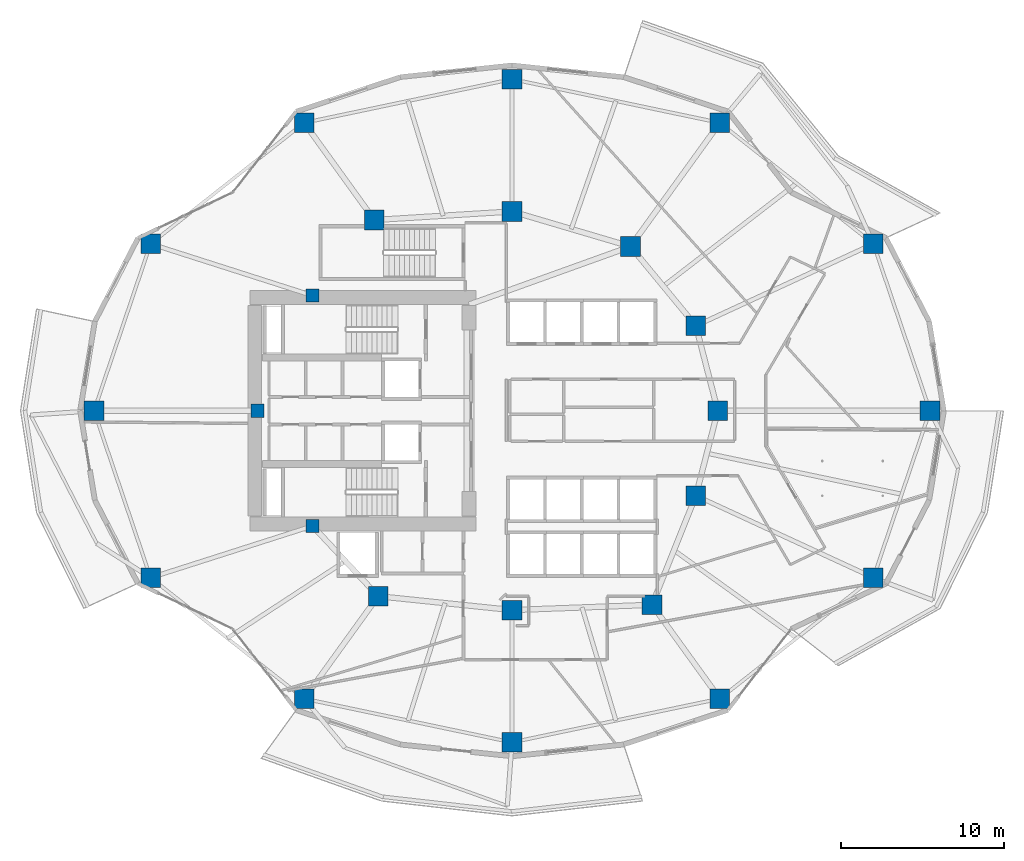
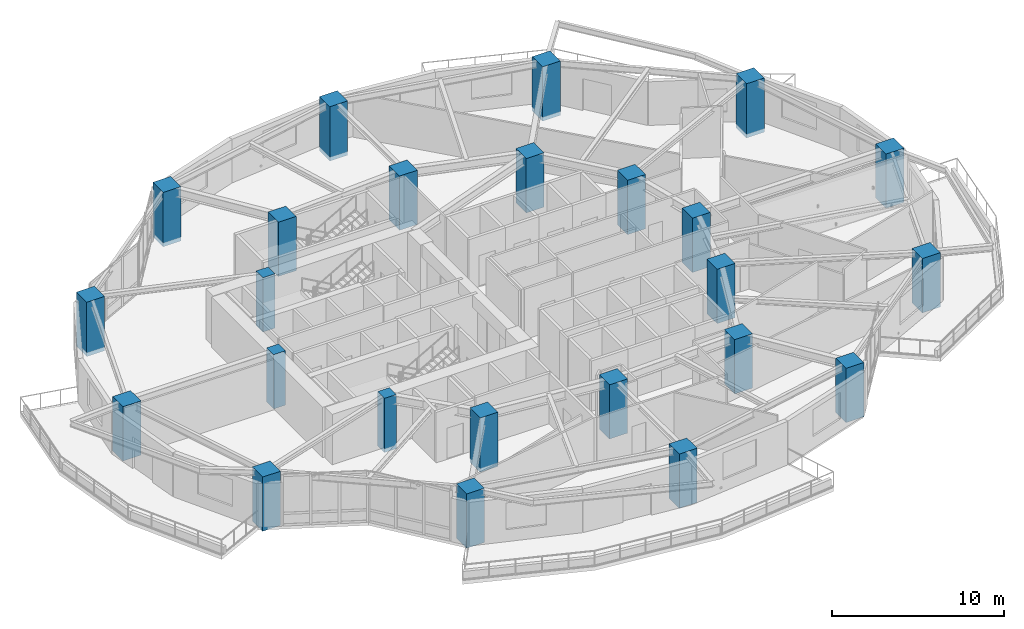
# One storey, part 1 of 18: 24 columns.
"""IFC4 building model written with IfcOpenShell, lengths in metres."""

import ifcopenshell
import ifcopenshell.guid

model = None  # the IFC model being written
_history = None  # IfcOwnerHistory: only IFC2X3 demands one
_inside = {}  # id of a spatial element -> (the spatial element, [elements in it])
_under = {}  # id of a project, library or spatial element -> (it, [spatial elements below it])
_declared = {}  # id of a project -> (the project, [libraries it declares])
_typed = {}  # id of a type object -> (the type object, [elements of that type])
_made_of = {}  # id of a material, layer set ... -> (it, [elements and type objects made of it])


def new_model(schema):
    """Start an empty IFC model of exactly this schema.

    Asked for "IFC4X3", IfcOpenShell would pick the latest addendum, in which some entities
    have other attributes; the version numbers below select the first issue.
    IFC2X3 requires an IfcOwnerHistory on every rooted entity: one is made here for all.
    """
    global model, _history
    if schema == "IFC4X3":
        model = ifcopenshell.file(schema_version=(4, 3, 0, 0))
    else:
        model = ifcopenshell.file(schema=schema)
    _inside.clear()
    _under.clear()
    _declared.clear()
    _typed.clear()
    _made_of.clear()
    _history = None
    if model.schema == "IFC2X3":
        org = make("IfcOrganization", Name="unknown")
        user = make(
            "IfcPersonAndOrganization",
            ThePerson=make("IfcPerson", FamilyName="unknown"),
            TheOrganization=org,
        )
        app = make(
            "IfcApplication",
            ApplicationDeveloper=org,
            Version="unknown",
            ApplicationFullName="unknown",
            ApplicationIdentifier="unknown",
        )
        _history = make(
            "IfcOwnerHistory",
            OwningUser=user,
            OwningApplication=app,
            ChangeAction="ADDED",
            CreationDate=0,
        )
    return model


def make(cls, **values):
    """One entity of the class cls with the attributes given. An attribute that is None is left unset."""
    return model.create_entity(
        cls, **{name: value for name, value in values.items() if value is not None}
    )


def rooted(cls, **values):
    """An entity with a GlobalId (a new one), such as an element, a storey or a relation."""
    return make(cls, GlobalId=ifcopenshell.guid.new(), OwnerHistory=_history, **values)


def si_unit(unit_type, name, prefix=None):
    """IfcSIUnit, for example si_unit("LENGTHUNIT", "METRE", prefix="MILLI")."""
    return make("IfcSIUnit", UnitType=unit_type, Prefix=prefix, Name=name)


def assignment(units):
    """IfcUnitAssignment: the units of a project."""
    return None if units is None else make("IfcUnitAssignment", Units=units)


def point(xyz):
    """IfcCartesianPoint."""
    return None if xyz is None else make("IfcCartesianPoint", Coordinates=xyz)


def direction(xyz):
    """IfcDirection."""
    return None if xyz is None else make("IfcDirection", DirectionRatios=xyz)


def frame(location, z_axis=None, x_axis=None):
    """IfcAxis2Placement3D, a coordinate frame: its origin and axes. An axis left out is left unset."""
    return make(
        "IfcAxis2Placement3D",
        Location=point(location),
        Axis=direction(z_axis),
        RefDirection=direction(x_axis),
    )


def frame_2d(location, x_axis=None):
    """IfcAxis2Placement2D, a coordinate frame in the plane: its origin and x axis."""
    return make(
        "IfcAxis2Placement2D", Location=point(location), RefDirection=direction(x_axis)
    )


def origin():
    """The frame at (0, 0, 0) with its axes left unset."""
    return frame((0.0, 0.0, 0.0))


def origin_2d():
    """The frame at (0, 0) in the plane with its x axis left unset."""
    return frame_2d((0.0, 0.0))


def place(relative_to, where):
    """IfcLocalPlacement: puts the frame where relative to a parent placement (None: the world)."""
    return make(
        "IfcLocalPlacement", PlacementRelTo=relative_to, RelativePlacement=where
    )


def context(
    kind, dimensions, precision=None, world=None, true_north=None, identifier=None
):
    """IfcGeometricRepresentationContext, for example the 3D "Model" context."""
    return make(
        "IfcGeometricRepresentationContext",
        ContextIdentifier=identifier,
        ContextType=kind,
        CoordinateSpaceDimension=dimensions,
        Precision=precision,
        WorldCoordinateSystem=world,
        TrueNorth=true_north,
    )


def subcontext(parent, identifier, kind, view, scale=None):
    """IfcGeometricRepresentationSubContext, for example "Body" below "Model"."""
    return make(
        "IfcGeometricRepresentationSubContext",
        ContextIdentifier=identifier,
        ContextType=kind,
        ParentContext=parent,
        TargetScale=scale,
        TargetView=view,
    )


def project(units=None, contexts=None):
    """IfcProject with its units and contexts."""
    return rooted(
        "IfcProject",
        Name="project",
        RepresentationContexts=contexts,
        UnitsInContext=assignment(units),
    )


def spatial(cls, under=None, at=None, **own):
    """A site, building, storey or space (cls), placed at a placement, below another one or the project."""
    s = rooted(cls, ObjectPlacement=at, **own)
    if under is not None:
        _under.setdefault(under.id(), (under, []))[1].append(s)
    return s


def profile(cls, at=None, kind="AREA", **sizes):
    """A parametric profile (cls). Its sizes go by their IFC names, for example OverallWidth=200.0."""
    return make(cls, ProfileType=kind, Position=at, **sizes)


def rectangle(**sizes):
    """IfcRectangleProfileDef."""
    return profile("IfcRectangleProfileDef", **sizes)


def extrude(swept, where, along, depth):
    """IfcExtrudedAreaSolid: the profile swept, set in the frame where, extruded along a direction by depth."""
    return make(
        "IfcExtrudedAreaSolid",
        SweptArea=swept,
        Position=where,
        ExtrudedDirection=direction(along),
        Depth=depth,
    )


def shape(context_of_items, identifier, shape_type, items):
    """IfcShapeRepresentation: the items that make up one representation, for example the "Body"."""
    return make(
        "IfcShapeRepresentation",
        ContextOfItems=context_of_items,
        RepresentationIdentifier=identifier,
        RepresentationType=shape_type,
        Items=items,
    )


def material(Name=None, Category=None):
    """IfcMaterial."""
    return make("IfcMaterial", Name=Name, Category=Category)


def material_profile(
    of_material, cross_section, Name=None, Category=None, Priority=None
):
    """IfcMaterialProfile: a cross section and its material."""
    return make(
        "IfcMaterialProfile",
        Name=Name,
        Material=of_material,
        Profile=cross_section,
        Priority=Priority,
        Category=Category,
    )


def profile_set(profiles, Name=None, composite=None):
    """IfcMaterialProfileSet."""
    return make(
        "IfcMaterialProfileSet",
        Name=Name,
        MaterialProfiles=profiles,
        CompositeProfile=composite,
    )


def made_of(thing, what):
    """Note that an element or type object is made of a material, layer set ...; save() writes the relation."""
    if what is not None:
        _made_of.setdefault(what.id(), (what, []))[1].append(thing)
    return thing


def type_object(cls, material=None, **own):
    """A type object (cls), such as IfcWallType, which elements share."""
    return made_of(rooted(cls, **own), material)


def element(
    cls,
    number,
    at=None,
    inside=None,
    cuts=None,
    type_object=None,
    material=None,
    context=None,
    identifier="Body",
    shape_type=None,
    held_by="IfcProductDefinitionShape",
    body=None,
    shapes=None,
    **own,
):
    """One element of the class cls, such as IfcWall. Its Tag is "e" and its number.

    at: its placement. inside: the storey or other place that contains it. cuts: it is an
    opening in that element (IfcRelVoidsElement). A single representation is given by context,
    identifier, shape_type and body (its items); several are given by shapes. held_by: the class
    of the entity that holds the representations. save() writes the other relations.
    """
    e = rooted(cls, Tag="e%d" % number, ObjectPlacement=at, **own)
    if body is not None:
        shapes = [shape(context, identifier, shape_type, body)]
    if shapes is not None:
        e.Representation = make(held_by, Representations=shapes)
    if inside is not None:
        _inside.setdefault(inside.id(), (inside, []))[1].append(e)
    if cuts is not None:
        rooted(
            "IfcRelVoidsElement", RelatingBuildingElement=cuts, RelatedOpeningElement=e
        )
    if type_object is not None:
        _typed.setdefault(type_object.id(), (type_object, []))[1].append(e)
    return made_of(e, material)


def aggregate(whole, parts):
    """IfcRelAggregates: a whole, such as a stair, and the parts it consists of."""
    return rooted("IfcRelAggregates", RelatingObject=whole, RelatedObjects=parts)


def save(model, path):
    """Write the relations noted so far, then the file.

    IfcRelAggregates (storeys below a building ...), IfcRelContainedInSpatialStructure (elements
    in a storey), IfcRelDefinesByType, IfcRelAssociatesMaterial and IfcRelDeclares: one each for
    every whole, place, type object, material and project.
    """
    for whole, parts in _under.values():
        aggregate(whole, parts)
    for where, things in _inside.values():
        rooted(
            "IfcRelContainedInSpatialStructure",
            RelatedElements=things,
            RelatingStructure=where,
        )
    for kind, things in _typed.values():
        rooted("IfcRelDefinesByType", RelatedObjects=things, RelatingType=kind)
    for what, things in _made_of.values():
        rooted("IfcRelAssociatesMaterial", RelatedObjects=things, RelatingMaterial=what)
    for by, libraries in _declared.values():
        rooted("IfcRelDeclares", RelatingContext=by, RelatedDefinitions=libraries)
    model.write(path)


model = new_model("IFC4")

# Units and contexts
model_context = context("Model", 3, precision=1e-05, world=origin(), true_north=direction((0.0, 1.0)))
body_context = subcontext(model_context, "Body", "Model", "MODEL_VIEW")
ifc_project = project(units=[si_unit("LENGTHUNIT", "METRE"), si_unit("AREAUNIT", "SQUARE_METRE"), si_unit("VOLUMEUNIT", "CUBIC_METRE"), si_unit("PLANEANGLEUNIT", "RADIAN"), si_unit("MASSUNIT", "GRAM", prefix="KILO")], contexts=[model_context])

# Site, building, storey
site_placement = place(None, origin())
site = spatial("IfcSite", under=ifc_project, at=site_placement, CompositionType="ELEMENT")
building_placement = place(site_placement, origin())
building = spatial("IfcBuilding", under=site, at=building_placement, Name="Kolvaren Gate Tower and Convention Centre", CompositionType="ELEMENT")
storey_placement = place(building_placement, frame((0.0, 0.0, 53.449951171875)))
storey = spatial("IfcBuildingStorey", under=building, at=storey_placement, Name="L12", CompositionType="ELEMENT", Elevation=53.449951171875)

# Columns
ifc_material_1 = material(Name="Concrete C70/85", Category="concrete")
ifc_material_profile_1 = material_profile(ifc_material_1, rectangle(XDim=1.199951171875, YDim=1.199951171875, at=origin_2d()), Name="RC-COL-1200X1200")
ifc_profile_set_1 = profile_set([ifc_material_profile_1], Name="Concrete C70/85")
column_type_1 = type_object("IfcColumnType", Name="STR-COL-RC1200", PredefinedType="COLUMN", material=ifc_profile_set_1)
for number, where, z_axis, x_axis, name in (
    (1, (55.71240234375, 27.0, -0.280029296875), (0.0, 0.0, 1.0), (1.0, 0.0, 0.0), "Tower L12 Perimeter Supercolumn TP-01"),
    (2, (52.248779296875, 37.218505859375, -0.280029296875), (0.0, 0.0, 1.0), (1.0, 0.0, 0.0), "Tower L12 Perimeter Supercolumn TP-02"),
    (3, (42.846435546875, 44.627197265625, -0.280029296875), (0.0, 0.0, 1.0), (1.0, 0.0, 0.0), "Tower L12 Perimeter Supercolumn TP-03"),
    (4, (30.125, 47.300048828125, -0.280029296875), (0.0, 0.0, 1.0), (1.0, 0.0, 0.0), "Tower L12 Perimeter Supercolumn TP-04"),
    (5, (17.40380859375, 44.627197265625, -0.280029296875), (0.0, 0.0, 1.0), (1.0, 0.0, 0.0), "Tower L12 Perimeter Supercolumn TP-05"),
    (6, (8.001220703125, 37.218505859375, -0.280029296875), (0.0, 0.0, 1.0), (1.0, 0.0, 0.0), "Tower L12 Perimeter Supercolumn TP-06"),
    (7, (4.53759765625, 27.0, -0.280029296875), (0.0, 0.0, 1.0), (1.0, 0.0, 0.0), "Tower L12 Perimeter Supercolumn TP-07"),
    (8, (8.001220703125, 16.781494140625, -0.280029296875), (0.0, 0.0, 1.0), (1.0, 0.0, 0.0), "Tower L12 Perimeter Supercolumn TP-08"),
    (9, (17.403564453125, 9.372802734375, -0.280029296875), (0.0, 0.0, 1.0), (1.0, 0.0, 0.0), "Tower L12 Perimeter Supercolumn TP-09"),
    (10, (30.125, 6.699951171875, -0.280029296875), (0.0, 0.0, 1.0), (1.0, 0.0, 0.0), "Tower L12 Perimeter Supercolumn TP-10"),
    (11, (42.846435546875, 9.372802734375, -0.280029296875), (0.0, 0.0, 1.0), (1.0, 0.0, 0.0), "Tower L12 Perimeter Supercolumn TP-11"),
    (12, (52.248779296875, 16.781494140625, -0.280029296875), (0.0, 0.0, 1.0), (1.0, 0.0, 0.0), "Tower L12 Perimeter Supercolumn TP-12"),
    (13, (42.72509765625, 27.0, -0.280029296875), (0.0, 0.0, 1.0), (1.0, 0.0, 0.0), "Tower L12 Interior Column TI-01"),
    (14, (41.382080078125, 32.199462890625, -0.280029296875), (0.0, 0.0, 1.0), (1.0, 0.0, 0.0), "Tower L12 Interior Column TI-02"),
    (15, (37.381591796875, 37.054931640625, -0.280029296875), (0.0, 0.0, 1.0), (1.0, 0.0, 0.0), "Tower L12 Interior Column TI-03"),
    (16, (30.125, 39.199951171875, -0.280029296875), (0.0, 0.0, 1.0), (1.0, 0.0, 0.0), "Tower L12 Interior Column TI-04"),
    (17, (21.697998046875, 38.6767578125, -0.280029296875), (0.0, 0.0, 1.0), (1.0, 0.0, 0.0), "Tower L12 Interior Column TI-05"),
    (18, (21.93212890625, 15.647705078125, -0.280029296875), (0.0, 0.0, 1.0), (1.0, 0.0, 0.0), "Tower L12 Interior Column TI-06"),
    (19, (30.125, 14.800048828125, -0.280029296875), (0.0, 0.0, 1.0), (1.0, 0.0, 0.0), "Tower L12 Interior Column TI-07"),
    (20, (38.6982421875, 15.12060546875, -0.280029296875), (0.0, 0.0, 1.0), (1.0, 0.0, 0.0), "Tower L12 Interior Column TI-08"),
    (21, (41.382080078125, 21.800537109375, -0.280029296875), (0.0, 0.0, 1.0), (1.0, 0.0, 0.0), "Tower L12 Interior Column TI-09"),
):
    element("IfcColumn", number, at=place(storey_placement, frame(where, z_axis=z_axis, x_axis=x_axis)), inside=storey, type_object=column_type_1, Name=name, PredefinedType="COLUMN", context=body_context, shape_type="SweptSolid", body=[
        extrude(rectangle(XDim=1.199951171875, YDim=1.199951171875, at=origin_2d()), origin(), (0.0, 0.0, 1.0), 3.85009765625),
    ])
ifc_material_2 = material(Name="Concrete C60/75", Category="concrete")
ifc_material_profile_2 = material_profile(ifc_material_2, rectangle(XDim=0.800048828125, YDim=0.800048828125, at=origin_2d()), Name="RC-COL-800X800")
ifc_profile_set_2 = profile_set([ifc_material_profile_2], Name="Concrete C60/75")
column_type_2 = type_object("IfcColumnType", Name="STR-PIL-RC800", PredefinedType="PILASTER", material=ifc_profile_set_2)
for number, where, z_axis, x_axis, name in (
    (22, (17.9140625, 34.050048828125, -0.280029296875), (0.0, 0.0, 1.0), (1.0, 0.0, 0.0), "Tower L12 Core Boundary Pilaster TC-05"),
    (23, (14.550048828125, 27.0, -0.280029296875), (0.0, 0.0, 1.0), (1.0, 0.0, 0.0), "Tower L12 Core Boundary Pilaster TC-06"),
    (24, (17.9140625, 19.949951171875, -0.280029296875), (0.0, 0.0, 1.0), (1.0, 0.0, 0.0), "Tower L12 Core Boundary Pilaster TC-07"),
):
    element("IfcColumn", number, at=place(storey_placement, frame(where, z_axis=z_axis, x_axis=x_axis)), inside=storey, type_object=column_type_2, Name=name, PredefinedType="PILASTER", context=body_context, shape_type="SweptSolid", body=[
        extrude(rectangle(XDim=0.800048828125, YDim=0.800048828125, at=origin_2d()), origin(), (0.0, 0.0, 1.0), 3.85009765625),
    ])

save(model, "model.ifc")
